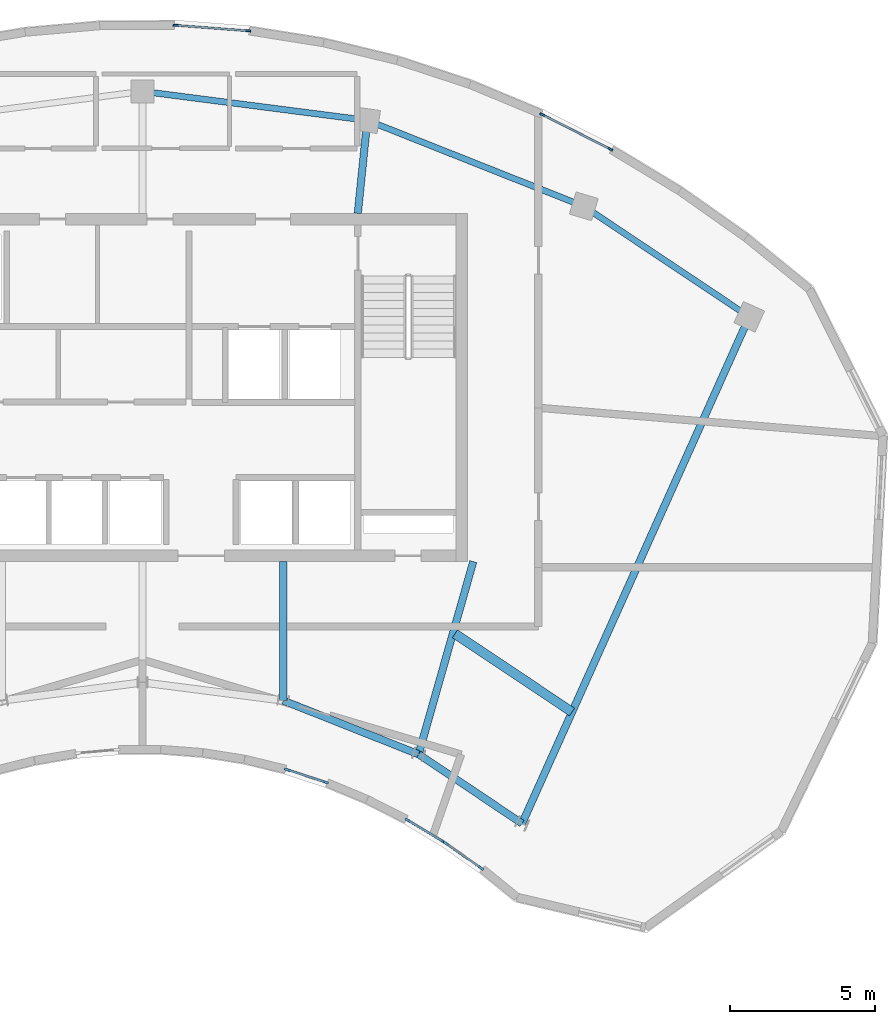
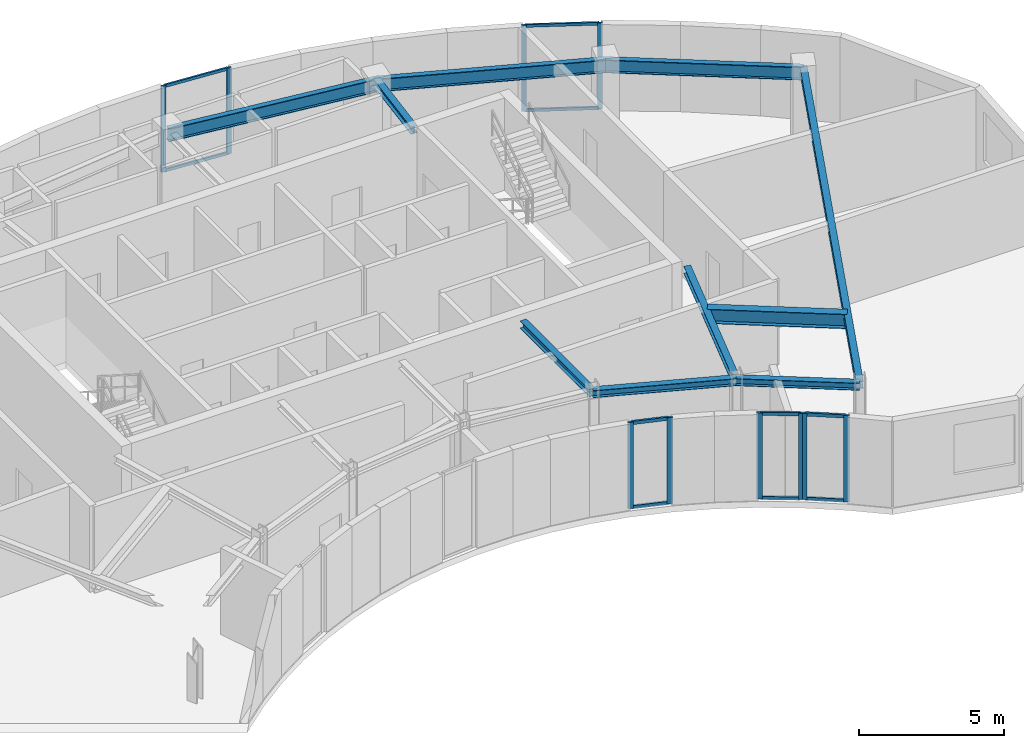
# One storey, part 3 of 9: 20 members, 10 beams, 5 elements without a shape of their own.
"""IFC4 building model written with IfcOpenShell, lengths in metres."""

from ifc_helpers import new_model, si_unit, direction, frame, origin, origin_2d, place, context, subcontext, project, spatial, rectangle, i_section, extrude, source, transform, mapped, material, layer, layer_set, material_profile, profile_set, type_object, element, aggregate, save


model = new_model("IFC4")

# Units and contexts
model_context = context("Model", 3, precision=1e-05, world=origin(), true_north=direction((0.0, 1.0)))
body_context = subcontext(model_context, "Body", "Model", "MODEL_VIEW")
ifc_project = project(units=[si_unit("LENGTHUNIT", "METRE"), si_unit("AREAUNIT", "SQUARE_METRE"), si_unit("VOLUMEUNIT", "CUBIC_METRE"), si_unit("PLANEANGLEUNIT", "RADIAN"), si_unit("MASSUNIT", "GRAM", prefix="KILO")], contexts=[model_context])

# Site, building, storey
site_placement = place(None, origin())
site = spatial("IfcSite", under=ifc_project, at=site_placement, CompositionType="ELEMENT")
building_placement = place(site_placement, origin())
building = spatial("IfcBuilding", under=site, at=building_placement, Name="Breltana Convention Tower", CompositionType="ELEMENT")
storey_placement = place(building_placement, frame((0.0, 0.0, 295.199951171875)))
storey = spatial("IfcBuildingStorey", under=building, at=storey_placement, Name="L72", CompositionType="ELEMENT", Elevation=295.199951171875)

# Beams
ifc_material_1 = material(Name="Steel ASTM A992 Grade 50", Category="steel")
ifc_material_profile_1 = material_profile(ifc_material_1, i_section(OverallWidth=0.323974609375, OverallDepth=0.611083984375, WebThickness=0.0126953125, FlangeThickness=0.01904296875, at=origin_2d()), Name="W24X104")
ifc_profile_set_1 = profile_set([ifc_material_profile_1], Name="Steel ASTM A992 Grade 50")
beam_type_1 = type_object("IfcBeamType", Name="BM-JSG-01", PredefinedType="JOIST", material=ifc_profile_set_1)
shared_shape_1 = source(origin(), body_context, "Body", "SweptSolid", [
    extrude(i_section(OverallWidth=0.323974609375, OverallDepth=0.611083984375, WebThickness=0.0126953125, FlangeThickness=0.01904296875, at=origin_2d()), origin(), (0.0, 0.0, 1.0), 4.854736328125),
])
beam_1_placement = place(storey_placement, frame((58.767578125, 57.71240234375, 3.33447265625), z_axis=(0.831485074305, -0.555547091801, 0.0), x_axis=(0.555547091801, 0.831485074305, 0.0)))
element("IfcBeam", 1, at=beam_1_placement, inside=storey, type_object=beam_type_1, Name="L72 Composite Floor Joist 08.1", PredefinedType="JOIST", context=body_context, shape_type="MappedRepresentation", body=[
    mapped(shared_shape_1, transform((0.0, 0.0, 0.0), scale=1.0)),
])
ifc_material_profile_2 = material_profile(ifc_material_1, i_section(OverallWidth=0.214111328125, OverallDepth=0.549072265625, WebThickness=0.0146484375, FlangeThickness=0.023681640625, at=origin_2d()), Name="W21X93")
ifc_profile_set_2 = profile_set([ifc_material_profile_2], Name="Steel ASTM A992 Grade 50")
beam_type_2 = type_object("IfcBeamType", Name="BM-SP-W21X93", PredefinedType="SPANDREL", material=ifc_profile_set_2)
shared_shape_2 = source(origin(), body_context, "Body", "SweptSolid", [
    extrude(i_section(OverallWidth=0.214111328125, OverallDepth=0.549072265625, WebThickness=0.0146484375, FlangeThickness=0.023681640625, at=origin_2d()), origin(), (0.0, 0.0, 1.0), 8.028564453125),
])
beam_2_placement = place(storey_placement, frame((55.746826171875, 75.404296875, 3.365478515625), z_axis=(0.929459100394, -0.368925169507, 0.0), x_axis=(0.368925169507, 0.929459100394, 0.0)))
element("IfcBeam", 2, at=beam_2_placement, inside=storey, type_object=beam_type_2, Name="L72 Outer Spandrel Beam 07", PredefinedType="SPANDREL", context=body_context, shape_type="MappedRepresentation", body=[
    mapped(shared_shape_2, transform((0.0, 0.0, 0.0), scale=1.0)),
])
shared_shape_3 = source(origin(), body_context, "Body", "SweptSolid", [
    extrude(i_section(OverallWidth=0.214111328125, OverallDepth=0.549072265625, WebThickness=0.0146484375, FlangeThickness=0.023681640625, at=origin_2d()), origin(), (0.0, 0.0, 1.0), 7.81103515625),
])
beam_3_placement = place(storey_placement, frame((48.0, 76.404052734375, 3.365478515625), z_axis=(0.991775179127, -0.127992164083, 0.0), x_axis=(0.127992164083, 0.991775179127, 0.0)))
element("IfcBeam", 3, at=beam_3_placement, inside=storey, type_object=beam_type_2, Name="L72 Outer Spandrel Beam 06", PredefinedType="SPANDREL", context=body_context, shape_type="MappedRepresentation", body=[
    mapped(shared_shape_3, transform((0.0, 0.0, 0.0), scale=1.0)),
])
shared_shape_4 = source(origin(), body_context, "Body", "SweptSolid", [
    extrude(i_section(OverallWidth=0.214111328125, OverallDepth=0.549072265625, WebThickness=0.0146484375, FlangeThickness=0.023681640625, at=origin_2d()), origin(), (0.0, 0.0, 1.0), 6.856689453125),
])
beam_4_placement = place(storey_placement, frame((63.208984375, 72.4423828125, 3.365478515625), z_axis=(0.83150210718, -0.55552159792, 0.0), x_axis=(0.55552159792, 0.83150210718, 0.0)))
element("IfcBeam", 4, at=beam_4_placement, inside=storey, type_object=beam_type_2, Name="L72 Outer Spandrel Beam 08", PredefinedType="SPANDREL", context=body_context, shape_type="MappedRepresentation", body=[
    mapped(shared_shape_4, transform((0.0, 0.0, 0.0), scale=1.0)),
])
ifc_material_profile_3 = material_profile(ifc_material_1, i_section(OverallWidth=0.25390625, OverallDepth=0.305908203125, WebThickness=0.0087890625, FlangeThickness=0.0146484375, at=origin_2d()), Name="W12X53")
ifc_profile_set_3 = profile_set([ifc_material_profile_3], Name="Steel ASTM A992 Grade 50")
beam_type_3 = type_object("IfcBeamType", Name="BM-CN-W12X53", PredefinedType="BEAM", material=ifc_profile_set_3)
shared_shape_5 = source(origin(), body_context, "Body", "SweptSolid", [
    extrude(i_section(OverallWidth=0.25390625, OverallDepth=0.305908203125, WebThickness=0.0087890625, FlangeThickness=0.0146484375, at=origin_2d()), origin(), (0.0, 0.0, 1.0), 6.904541015625),
])
beam_5_placement = place(storey_placement, frame((59.39990234375, 60.199951171875, 3.487060546875), z_axis=(-0.273006781054, -0.962012108811, 0.0), x_axis=(0.962012108811, -0.273006781054, 0.0)))
element("IfcBeam", 5, at=beam_5_placement, inside=storey, type_object=beam_type_3, Name="L72 South Core Tie Girder R08", PredefinedType="BEAM", context=body_context, shape_type="MappedRepresentation", body=[
    mapped(shared_shape_5, transform((0.0, 0.0, 0.0), scale=1.0)),
])
shared_shape_6 = source(origin(), body_context, "Body", "SweptSolid", [
    extrude(i_section(OverallWidth=0.25390625, OverallDepth=0.305908203125, WebThickness=0.0087890625, FlangeThickness=0.0146484375, at=origin_2d()), origin(), (0.0, 0.0, 1.0), 4.789306640625),
])
beam_6_placement = place(storey_placement, frame((52.846435546875, 60.199951171875, 3.487060546875), z_axis=(0.0, -1.0, 0.0), x_axis=(1.0, 0.0, 0.0)))
element("IfcBeam", 6, at=beam_6_placement, inside=storey, type_object=beam_type_3, Name="L72 South Core Tie Girder R07", PredefinedType="BEAM", context=body_context, shape_type="MappedRepresentation", body=[
    mapped(shared_shape_6, transform((0.0, 0.0, 0.0), scale=1.0)),
])
shared_shape_7 = source(origin(), body_context, "Body", "SweptSolid", [
    extrude(i_section(OverallWidth=0.25390625, OverallDepth=0.305908203125, WebThickness=0.0087890625, FlangeThickness=0.0146484375, at=origin_2d()), origin(), (0.0, 0.0, 1.0), 3.220947265625),
])
beam_7_placement = place(storey_placement, frame((55.419921875, 72.199951171875, 3.487060546875), z_axis=(0.101492254858, 0.994836329355, 0.0), x_axis=(-0.994836329355, 0.101492254858, 0.0)))
element("IfcBeam", 7, at=beam_7_placement, inside=storey, type_object=beam_type_3, Name="L72 North Core Radial Girder R07", PredefinedType="BEAM", context=body_context, shape_type="MappedRepresentation", body=[
    mapped(shared_shape_7, transform((0.0, 0.0, 0.0), scale=1.0)),
])
shared_shape_8 = source(origin(), body_context, "Body", "SweptSolid", [
    extrude(i_section(OverallWidth=0.25390625, OverallDepth=0.305908203125, WebThickness=0.0087890625, FlangeThickness=0.0146484375, at=origin_2d()), origin(), (0.0, 0.0, 1.0), 19.133544921875),
])
beam_8_placement = place(storey_placement, frame((61.08203125, 51.174560546875, 3.487060546875), z_axis=(0.409144564164, 0.912469575172, 0.0), x_axis=(-0.912469575172, 0.409144564164, 0.0)))
element("IfcBeam", 8, at=beam_8_placement, inside=storey, type_object=beam_type_3, Name="L72 Radial Floor Girder R09", PredefinedType="BEAM", context=body_context, shape_type="MappedRepresentation", body=[
    mapped(shared_shape_8, transform((0.0, 0.0, 0.0), scale=1.0)),
])
shared_shape_9 = source(origin(), body_context, "Body", "SweptSolid", [
    extrude(i_section(OverallWidth=0.25390625, OverallDepth=0.305908203125, WebThickness=0.0087890625, FlangeThickness=0.0146484375, at=origin_2d()), origin(), (0.0, 0.0, 1.0), 5.022705078125),
])
beam_9_placement = place(storey_placement, frame((52.846435546875, 55.41064453125, 3.487060546875), z_axis=(0.929458966248, -0.368925507469, 0.0), x_axis=(0.368925507469, 0.929458966248, 0.0)))
element("IfcBeam", 9, at=beam_9_placement, inside=storey, type_object=beam_type_3, Name="L72 Inner Ring Beam 07", PredefinedType="BEAM", context=body_context, shape_type="MappedRepresentation", body=[
    mapped(shared_shape_9, transform((0.0, 0.0, 0.0), scale=1.0)),
])
shared_shape_10 = source(origin(), body_context, "Body", "SweptSolid", [
    extrude(i_section(OverallWidth=0.25390625, OverallDepth=0.305908203125, WebThickness=0.0087890625, FlangeThickness=0.0146484375, at=origin_2d()), origin(), (0.0, 0.0, 1.0), 4.2900390625),
])
beam_10_placement = place(storey_placement, frame((57.514892578125, 53.5576171875, 3.487060546875), z_axis=(0.831515827753, -0.555501060482, 0.0), x_axis=(0.555501060482, 0.831515827753, 0.0)))
element("IfcBeam", 10, at=beam_10_placement, inside=storey, type_object=beam_type_3, Name="L72 Inner Ring Beam 08", PredefinedType="BEAM", context=body_context, shape_type="MappedRepresentation", body=[
    mapped(shared_shape_10, transform((0.0, 0.0, 0.0), scale=1.0)),
])

# Curtain wall, members
ifc_material_2 = material(Name="Aluminium Anodised Bronze Frame", Category="aluminium")
ifc_layer_1 = layer(ifc_material_2, 0.18994140625, Name="Aluminium Anodised Bronze Frame")
ifc_layer_set_1 = layer_set([ifc_layer_1], Name="Aluminium Anodised Bronze Frame")
curtain_wall_type_1 = type_object("IfcCurtainWallType", Name="CW-SYS-1", PredefinedType="NOTDEFINED", material=ifc_layer_set_1)
curtain_wall_1_placement = place(storey_placement, origin())
curtain_wall_1 = element("IfcCurtainWall", 11, at=curtain_wall_1_placement, inside=storey, type_object=curtain_wall_type_1, Name="L72 inner south-court glazing 1", PredefinedType="NOTDEFINED")
ifc_material_3 = material(Name="Aluminium Anodised Bronze", Category="aluminium")
ifc_material_profile_4 = material_profile(ifc_material_3, rectangle(XDim=0.080078125, YDim=0.199951171875, at=origin_2d()), Name="CWM-80X200")
ifc_profile_set_4 = profile_set([ifc_material_profile_4], Name="Aluminium Anodised Bronze")
member_type_1 = type_object("IfcMemberType", Name="CWM-200", PredefinedType="MULLION", material=ifc_profile_set_4)
shared_shape_11 = source(origin(), body_context, "Body", "SweptSolid", [
    extrude(rectangle(XDim=0.080078125, YDim=0.199951171875, at=origin_2d()), origin(), (0.0, 0.0, 1.0), 3.64013671875),
])
member_1_placement = place(storey_placement, frame((59.667724609375, 49.635986328125, 0.0), z_axis=(0.0, 0.0, 1.0), x_axis=(-0.576173895534, -0.817327132857, 0.0)))
member_1 = element("IfcMember", 12, at=member_1_placement, type_object=member_type_1, Name="CW-01 mullion 1", PredefinedType="MULLION", context=body_context, shape_type="MappedRepresentation", body=[
    mapped(shared_shape_11, transform((0.0, 0.0, 0.0), scale=1.0)),
])
member_2_placement = place(storey_placement, frame((58.4599609375, 50.4873046875, 0.0), z_axis=(0.0, 0.0, 1.0), x_axis=(-0.576173895534, -0.817327132857, 0.0)))
member_2 = element("IfcMember", 13, at=member_2_placement, type_object=member_type_1, Name="CW-01 mullion 2", PredefinedType="MULLION", context=body_context, shape_type="MappedRepresentation", body=[
    mapped(shared_shape_11, transform((0.0, 0.0, 0.0), scale=1.0)),
])

curtain_wall_2_placement = place(storey_placement, origin())
curtain_wall_2 = element("IfcCurtainWall", 14, at=curtain_wall_2_placement, inside=storey, type_object=curtain_wall_type_1, Name="L72 inner south-court glazing 2", PredefinedType="NOTDEFINED")
member_3_placement = place(storey_placement, frame((58.38232421875, 50.5380859375, 0.0), z_axis=(0.0, 0.0, 1.0), x_axis=(-0.516826673654, -0.856090059164, 0.0)))
member_3 = element("IfcMember", 15, at=member_3_placement, type_object=member_type_1, Name="CW-01 mullion 1", PredefinedType="MULLION", context=body_context, shape_type="MappedRepresentation", body=[
    mapped(shared_shape_11, transform((0.0, 0.0, 0.0), scale=1.0)),
])
member_4_placement = place(storey_placement, frame((57.139404296875, 51.288330078125, 0.0), z_axis=(0.0, 0.0, 1.0), x_axis=(-0.516826673654, -0.856090059164, 0.0)))
member_4 = element("IfcMember", 16, at=member_4_placement, type_object=member_type_1, Name="CW-01 mullion 2", PredefinedType="MULLION", context=body_context, shape_type="MappedRepresentation", body=[
    mapped(shared_shape_11, transform((0.0, 0.0, 0.0), scale=1.0)),
])

curtain_wall_3_placement = place(storey_placement, origin())
curtain_wall_3 = element("IfcCurtainWall", 17, at=curtain_wall_3_placement, inside=storey, type_object=curtain_wall_type_1, Name="L72 inner south-court glazing 3", PredefinedType="NOTDEFINED")
member_5_placement = place(storey_placement, frame((54.3115234375, 52.5927734375, 0.0), z_axis=(0.0, 0.0, 1.0), x_axis=(-0.311551675865, -0.95022921091, 0.0)))
member_5 = element("IfcMember", 18, at=member_5_placement, type_object=member_type_1, Name="CW-01 mullion 1", PredefinedType="MULLION", context=body_context, shape_type="MappedRepresentation", body=[
    mapped(shared_shape_11, transform((0.0, 0.0, 0.0), scale=1.0)),
])
member_6_placement = place(storey_placement, frame((52.990478515625, 53.02587890625, 0.0), z_axis=(0.0, 0.0, 1.0), x_axis=(-0.311551675865, -0.95022921091, 0.0)))
member_6 = element("IfcMember", 19, at=member_6_placement, type_object=member_type_1, Name="CW-01 mullion 2", PredefinedType="MULLION", context=body_context, shape_type="MappedRepresentation", body=[
    mapped(shared_shape_11, transform((0.0, 0.0, 0.0), scale=1.0)),
])

# Member
ifc_material_profile_5 = material_profile(ifc_material_3, rectangle(XDim=0.080078125, YDim=0.139892578125, at=origin_2d()), Name="CWT-80X140")
ifc_profile_set_5 = profile_set([ifc_material_profile_5], Name="Aluminium Anodised Bronze")
member_type_2 = type_object("IfcMemberType", Name="CWT-140", PredefinedType="USERDEFINED", material=ifc_profile_set_5)
shared_shape_12 = source(origin(), body_context, "Body", "SweptSolid", [
    extrude(rectangle(XDim=0.080078125, YDim=0.139892578125, at=origin_2d()), origin(), (0.0, 0.0, 1.0), 1.3974609375),
])
member_7_placement = place(storey_placement, frame((59.635009765625, 49.658935546875, 0.0400390625), z_axis=(-0.817364650956, 0.576120670838, 0.0), x_axis=(-0.576120670838, -0.817364650956, 0.0)))
member_7 = element("IfcMember", 20, at=member_7_placement, type_object=member_type_2, Name="CW-01 transom 1.1", ObjectType="TRANSOM", PredefinedType="USERDEFINED", context=body_context, shape_type="MappedRepresentation", body=[
    mapped(shared_shape_12, transform((0.0, 0.0, 0.0), scale=1.0)),
])

member_8_placement = place(storey_placement, frame((59.635009765625, 49.658935546875, 3.60009765625), z_axis=(-0.817364650956, 0.576120670838, 0.0), x_axis=(-0.576120670838, -0.817364650956, 0.0)))
member_8 = element("IfcMember", 21, at=member_8_placement, type_object=member_type_2, Name="CW-01 transom 1.2", ObjectType="TRANSOM", PredefinedType="USERDEFINED", context=body_context, shape_type="MappedRepresentation", body=[
    mapped(shared_shape_12, transform((0.0, 0.0, 0.0), scale=1.0)),
])

aggregate(curtain_wall_1, [member_1, member_2, member_7, member_8])

shared_shape_13 = source(origin(), body_context, "Body", "SweptSolid", [
    extrude(rectangle(XDim=0.080078125, YDim=0.139892578125, at=origin_2d()), origin(), (0.0, 0.0, 1.0), 1.3720703125),
])
member_9_placement = place(storey_placement, frame((58.34814453125, 50.55859375, 0.0400390625), z_axis=(-0.856123865056, 0.516770672235, 0.0), x_axis=(-0.516770672235, -0.856123865056, 0.0)))
member_9 = element("IfcMember", 22, at=member_9_placement, type_object=member_type_2, Name="CW-01 transom 1.1", ObjectType="TRANSOM", PredefinedType="USERDEFINED", context=body_context, shape_type="MappedRepresentation", body=[
    mapped(shared_shape_13, transform((0.0, 0.0, 0.0), scale=1.0)),
])

member_10_placement = place(storey_placement, frame((58.34814453125, 50.55859375, 3.60009765625), z_axis=(-0.856123865056, 0.516770672235, 0.0), x_axis=(-0.516770672235, -0.856123865056, 0.0)))
member_10 = element("IfcMember", 23, at=member_10_placement, type_object=member_type_2, Name="CW-01 transom 1.2", ObjectType="TRANSOM", PredefinedType="USERDEFINED", context=body_context, shape_type="MappedRepresentation", body=[
    mapped(shared_shape_13, transform((0.0, 0.0, 0.0), scale=1.0)),
])

aggregate(curtain_wall_2, [member_3, member_4, member_9, member_10])

# Curtain wall, members
ifc_layer_2 = layer(ifc_material_2, 0.22998046875, Name="Aluminium Anodised Bronze Frame")
ifc_layer_set_2 = layer_set([ifc_layer_2], Name="Aluminium Anodised Bronze Frame")
curtain_wall_type_2 = type_object("IfcCurtainWallType", Name="CW-SYS-5", PredefinedType="NOTDEFINED", material=ifc_layer_set_2)
curtain_wall_4_placement = place(storey_placement, origin())
curtain_wall_4 = element("IfcCurtainWall", 24, at=curtain_wall_4_placement, inside=storey, type_object=curtain_wall_type_2, Name="L72 outer double-skin inner glazing 3", PredefinedType="NOTDEFINED")
ifc_material_profile_6 = material_profile(ifc_material_3, rectangle(XDim=0.070068359375, YDim=0.175048828125, at=origin_2d()), Name="CWM-70X175")
ifc_profile_set_6 = profile_set([ifc_material_profile_6], Name="Aluminium Anodised Bronze")
member_type_3 = type_object("IfcMemberType", Name="CWM-175", PredefinedType="MULLION", material=ifc_profile_set_6)
shared_shape_14 = source(origin(), body_context, "Body", "SweptSolid", [
    extrude(rectangle(XDim=0.070068359375, YDim=0.175048828125, at=origin_2d()), origin(), (0.0, 0.0, 1.0), 3.64013671875),
])
member_11_placement = place(storey_placement, frame((49.139892578125, 78.680908203125, 0.0), z_axis=(0.0, 0.0, 1.0), x_axis=(0.075890692114, 0.99711614311, 0.0)))
member_11 = element("IfcMember", 25, at=member_11_placement, type_object=member_type_3, Name="CW-05 mullion 1", PredefinedType="MULLION", context=body_context, shape_type="MappedRepresentation", body=[
    mapped(shared_shape_14, transform((0.0, 0.0, 0.0), scale=1.0)),
])
member_12_placement = place(storey_placement, frame((51.643798828125, 78.490234375, 0.0), z_axis=(0.0, 0.0, 1.0), x_axis=(0.075890692114, 0.99711614311, 0.0)))
member_12 = element("IfcMember", 26, at=member_12_placement, type_object=member_type_3, Name="CW-05 mullion 2", PredefinedType="MULLION", context=body_context, shape_type="MappedRepresentation", body=[
    mapped(shared_shape_14, transform((0.0, 0.0, 0.0), scale=1.0)),
])

curtain_wall_5_placement = place(storey_placement, origin())
curtain_wall_5 = element("IfcCurtainWall", 27, at=curtain_wall_5_placement, inside=storey, type_object=curtain_wall_type_2, Name="L72 outer double-skin inner glazing 4", PredefinedType="NOTDEFINED")
member_13_placement = place(storey_placement, frame((61.776123046875, 75.6044921875, 0.0), z_axis=(0.0, 0.0, 1.0), x_axis=(0.452690099305, 0.891667916879, 0.0)))
member_13 = element("IfcMember", 28, at=member_13_placement, type_object=member_type_3, Name="CW-05 mullion 1", PredefinedType="MULLION", context=body_context, shape_type="MappedRepresentation", body=[
    mapped(shared_shape_14, transform((0.0, 0.0, 0.0), scale=1.0)),
])
member_14_placement = place(storey_placement, frame((64.126220703125, 74.411376953125, 0.0), z_axis=(0.0, 0.0, 1.0), x_axis=(0.452690099305, 0.891667916879, 0.0)))
member_14 = element("IfcMember", 29, at=member_14_placement, type_object=member_type_3, Name="CW-05 mullion 2", PredefinedType="MULLION", context=body_context, shape_type="MappedRepresentation", body=[
    mapped(shared_shape_14, transform((0.0, 0.0, 0.0), scale=1.0)),
])

# Member
shared_shape_15 = source(origin(), body_context, "Body", "SweptSolid", [
    extrude(rectangle(XDim=0.080078125, YDim=0.139892578125, at=origin_2d()), origin(), (0.0, 0.0, 1.0), 1.310546875),
])
member_15_placement = place(storey_placement, frame((54.273681640625, 52.605224609375, 0.0400390625), z_axis=(-0.950254852385, 0.31147345877, 0.0), x_axis=(-0.31147345877, -0.950254852385, 0.0)))
member_15 = element("IfcMember", 30, at=member_15_placement, type_object=member_type_2, Name="CW-01 transom 1.1", ObjectType="TRANSOM", PredefinedType="USERDEFINED", context=body_context, shape_type="MappedRepresentation", body=[
    mapped(shared_shape_15, transform((0.0, 0.0, 0.0), scale=1.0)),
])

member_16_placement = place(storey_placement, frame((54.273681640625, 52.605224609375, 3.60009765625), z_axis=(-0.950254852385, 0.31147345877, 0.0), x_axis=(-0.31147345877, -0.950254852385, 0.0)))
member_16 = element("IfcMember", 31, at=member_16_placement, type_object=member_type_2, Name="CW-01 transom 1.2", ObjectType="TRANSOM", PredefinedType="USERDEFINED", context=body_context, shape_type="MappedRepresentation", body=[
    mapped(shared_shape_15, transform((0.0, 0.0, 0.0), scale=1.0)),
])

aggregate(curtain_wall_3, [member_5, member_6, member_15, member_16])

ifc_material_profile_7 = material_profile(ifc_material_3, rectangle(XDim=0.070068359375, YDim=0.1201171875, at=origin_2d()), Name="CWT-70X120")
ifc_profile_set_7 = profile_set([ifc_material_profile_7], Name="Aluminium Anodised Bronze")
member_type_4 = type_object("IfcMemberType", Name="CWT-120", PredefinedType="USERDEFINED", material=ifc_profile_set_7)
shared_shape_16 = source(origin(), body_context, "Body", "SweptSolid", [
    extrude(rectangle(XDim=0.070068359375, YDim=0.1201171875, at=origin_2d()), origin(), (0.0, 0.0, 1.0), 2.441162109375),
])
member_17_placement = place(storey_placement, frame((49.1748046875, 78.67822265625, 0.03515625), z_axis=(0.997114769529, -0.075908737219, 0.0), x_axis=(0.075908737219, 0.997114769529, 0.0)))
member_17 = element("IfcMember", 32, at=member_17_placement, type_object=member_type_4, Name="CW-05 transom 1.1", ObjectType="TRANSOM", PredefinedType="USERDEFINED", context=body_context, shape_type="MappedRepresentation", body=[
    mapped(shared_shape_16, transform((0.0, 0.0, 0.0), scale=1.0)),
])

member_18_placement = place(storey_placement, frame((49.1748046875, 78.67822265625, 3.60498046875), z_axis=(0.997114769529, -0.075908737219, 0.0), x_axis=(0.075908737219, 0.997114769529, 0.0)))
member_18 = element("IfcMember", 33, at=member_18_placement, type_object=member_type_4, Name="CW-05 transom 1.2", ObjectType="TRANSOM", PredefinedType="USERDEFINED", context=body_context, shape_type="MappedRepresentation", body=[
    mapped(shared_shape_16, transform((0.0, 0.0, 0.0), scale=1.0)),
])

aggregate(curtain_wall_4, [member_11, member_12, member_17, member_18])

shared_shape_17 = source(origin(), body_context, "Body", "SweptSolid", [
    extrude(rectangle(XDim=0.070068359375, YDim=0.1201171875, at=origin_2d()), origin(), (0.0, 0.0, 1.0), 2.5654296875),
])
member_19_placement = place(storey_placement, frame((61.807373046875, 75.588623046875, 0.03515625), z_axis=(0.891669724031, -0.452686539724, 0.0), x_axis=(0.452686539724, 0.891669724031, 0.0)))
member_19 = element("IfcMember", 34, at=member_19_placement, type_object=member_type_4, Name="CW-05 transom 1.1", ObjectType="TRANSOM", PredefinedType="USERDEFINED", context=body_context, shape_type="MappedRepresentation", body=[
    mapped(shared_shape_17, transform((0.0, 0.0, 0.0), scale=1.0)),
])

member_20_placement = place(storey_placement, frame((61.807373046875, 75.588623046875, 3.60498046875), z_axis=(0.891669724031, -0.452686539724, 0.0), x_axis=(0.452686539724, 0.891669724031, 0.0)))
member_20 = element("IfcMember", 35, at=member_20_placement, type_object=member_type_4, Name="CW-05 transom 1.2", ObjectType="TRANSOM", PredefinedType="USERDEFINED", context=body_context, shape_type="MappedRepresentation", body=[
    mapped(shared_shape_17, transform((0.0, 0.0, 0.0), scale=1.0)),
])

aggregate(curtain_wall_5, [member_13, member_14, member_19, member_20])

save(model, "model.ifc")
